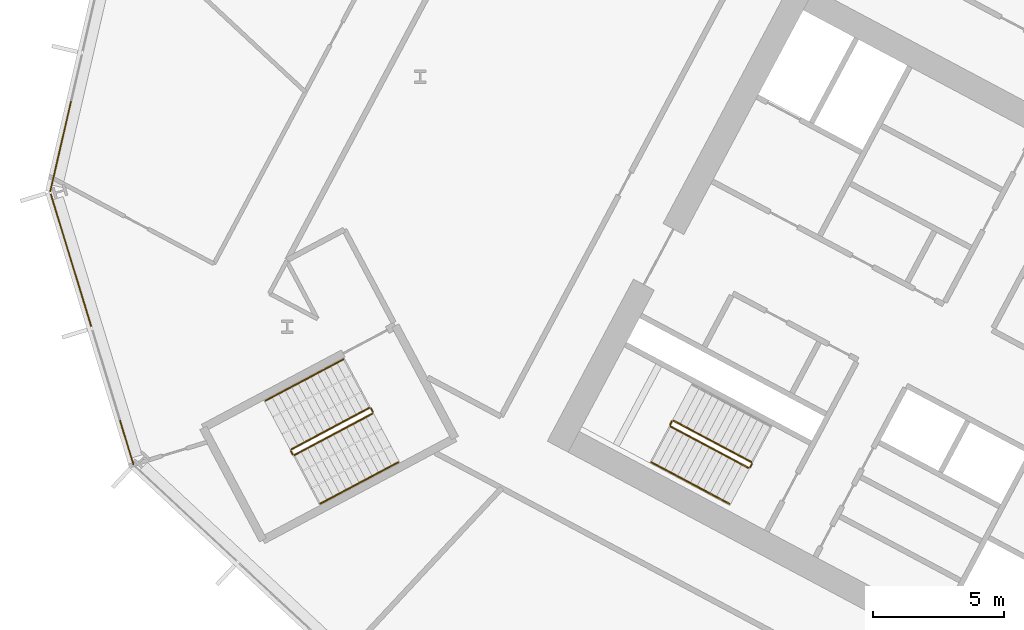
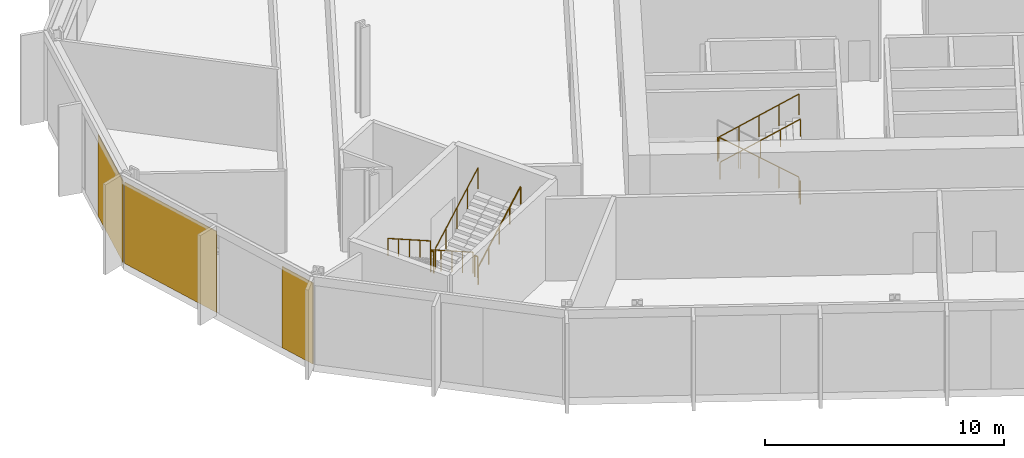
# One storey, part 24 of 32: 11 railings, 3 coverings, 2 elements without a shape of their own.
"""IFC4 building model written with IfcOpenShell, lengths in metres."""

from ifc_helpers import new_model, si_unit, direction, frame, origin, origin_2d, place, context, subcontext, project, spatial, polyline, rectangle, outline, extrude, material, layer, layer_set, type_object, element, aggregate, save


model = new_model("IFC4")

# Units and contexts
model_context = context("Model", 3, precision=1e-05, world=origin(), true_north=direction((0.0, 1.0)))
body_context = subcontext(model_context, "Body", "Model", "MODEL_VIEW")
ifc_project = project(units=[si_unit("LENGTHUNIT", "METRE"), si_unit("AREAUNIT", "SQUARE_METRE"), si_unit("VOLUMEUNIT", "CUBIC_METRE"), si_unit("PLANEANGLEUNIT", "RADIAN"), si_unit("MASSUNIT", "GRAM", prefix="KILO")], contexts=[model_context])

# Site, building, storey
site_placement = place(None, origin())
site = spatial("IfcSite", under=ifc_project, at=site_placement, CompositionType="ELEMENT")
building_placement = place(site_placement, origin())
building = spatial("IfcBuilding", under=site, at=building_placement, Name="Cormorant Relay Tower", CompositionType="ELEMENT")
storey_placement = place(building_placement, frame((0.0, 0.0, 75.39990234375)))
storey = spatial("IfcBuildingStorey", under=building, at=storey_placement, Name="L14", CompositionType="ELEMENT", Elevation=75.39990234375)

# Curtain wall, covering
ifc_material_1 = material(Name="Aluminium 6063-T6 anodised bronze", Category="aluminium")
ifc_layer_1 = layer(ifc_material_1, 0.199951171875)
ifc_layer_set_1 = layer_set([ifc_layer_1], Name="CW1 unitised bronze curtain wall with vertical fins")
curtain_wall_type = type_object("IfcCurtainWallType", Name="CW1 unitised bronze curtain wall with vertical fins", PredefinedType="NOTDEFINED", material=ifc_layer_set_1)
curtain_wall_1_placement = place(storey_placement, origin())
curtain_wall_1 = element("IfcCurtainWall", 1, at=curtain_wall_1_placement, inside=storey, type_object=curtain_wall_type, Name="CW1 curtain wall 11", PredefinedType="NOTDEFINED")
ifc_material_2 = material(Name="Pale bronze anodised aluminium insulated panel", Category="aluminium")
ifc_layer_2 = layer(ifc_material_2, 0.0400390625)
ifc_layer_set_2 = layer_set([ifc_layer_2], Name="CW1 pale bronze insulated panel 40")
covering_type = type_object("IfcCoveringType", Name="CW1 pale bronze insulated panel 40", PredefinedType="CLADDING", material=ifc_layer_set_2)
covering_1_placement = place(storey_placement, frame((-60.3388671875, 22.13232421875, 0.000244140625), z_axis=(0.0, 0.0, 1.0), x_axis=(-0.224951054344, -0.974370064785, 0.0)))
covering_1 = element("IfcCovering", 2, at=covering_1_placement, type_object=covering_type, Name="CW1 panel S02", PredefinedType="CLADDING", context=body_context, shape_type="SweptSolid", body=[
    extrude(rectangle(XDim=3.560302734375, YDim=0.0400390625, at=origin_2d()), origin(), (0.0, 0.0, 1.0), 4.14990234375),
])
aggregate(curtain_wall_1, [covering_1])

# Curtain wall, coverings
curtain_wall_2_placement = place(storey_placement, origin())
curtain_wall_2 = element("IfcCurtainWall", 3, at=curtain_wall_2_placement, inside=storey, type_object=curtain_wall_type, Name="CW1 curtain wall 12", PredefinedType="NOTDEFINED")
covering_2_placement = place(storey_placement, frame((-59.9443359375, 17.78857421875, 0.000244140625), z_axis=(0.0, 0.0, 1.0), x_axis=(0.292371704723, -0.956304755963, 0.0)))
covering_2 = element("IfcCovering", 4, at=covering_2_placement, type_object=covering_type, Name="CW1 panel S00", PredefinedType="CLADDING", context=body_context, shape_type="SweptSolid", body=[
    extrude(rectangle(XDim=5.28515625, YDim=0.0400390625, at=origin_2d()), origin(), (0.0, 0.0, 1.0), 4.14990234375),
])
covering_3_placement = place(storey_placement, frame((-57.818115234375, 10.833740234375, 0.000244140625), z_axis=(0.0, 0.0, 1.0), x_axis=(0.292371704723, -0.956304755963, 0.0)))
covering_3 = element("IfcCovering", 5, at=covering_3_placement, type_object=covering_type, Name="CW1 panel S02", PredefinedType="CLADDING", context=body_context, shape_type="SweptSolid", body=[
    extrude(rectangle(XDim=1.76025390625, YDim=0.0400390625, at=origin_2d()), origin(), (0.0, 0.0, 1.0), 4.14990234375),
])
aggregate(curtain_wall_2, [covering_2, covering_3])

# Railings
ifc_material_3 = material(Name="Steel ASTM A572 Grade 50 (Fy 345 MPa)", Category="steel")
railing_type_1 = type_object("IfcRailingType", Name="Stair guard 1100", PredefinedType="GUARDRAIL", material=ifc_material_3)
railing_1_placement = place(storey_placement, frame((-33.9921875, 10.08935546875, 0.177001953125)))
element("IfcRailing", 6, at=railing_1_placement, inside=storey, type_object=railing_type_1, Name="L14 A2 stair guard 1", PredefinedType="GUARDRAIL", context=body_context, shape_type="SweptSolid", body=[
    extrude(outline(polyline([(0.022216796875, 0.00927734375), (0.00927734375, 0.022216796875), (-0.00927734375, 0.022216796875), (-0.022216796875, 0.00927734375), (-0.022216796875, -0.00927734375), (-0.00927734375, -0.022216796875), (0.00927734375, -0.022216796875), (0.022216796875, -0.00927734375), (0.022216796875, 0.00927734375)])), frame((0.0, 0.0, 1.076171875), z_axis=(-0.746440668329, 0.396869088057, 0.534154711306), x_axis=(-0.46945269911, -0.882957622595, 0.0)), (0.0, 0.0, 1.0), 3.974609375),
    extrude(outline(polyline([(0.019287109375, 0.008056640625), (0.008056640625, 0.019287109375), (-0.008056640625, 0.019287109375), (-0.019287109375, 0.008056640625), (-0.019287109375, -0.008056640625), (-0.008056640625, -0.019287109375), (0.008056640625, -0.019287109375), (0.019287109375, -0.008056640625), (0.019287109375, 0.008056640625)])), origin(), (0.0, 0.0, 1.0), 1.052001953125),
    extrude(outline(polyline([(0.019287109375, 0.008056640625), (0.008056640625, 0.019287109375), (-0.008056640625, 0.019287109375), (-0.019287109375, 0.008056640625), (-0.019287109375, -0.008056640625), (-0.008056640625, -0.019287109375), (0.008056640625, -0.019287109375), (0.019287109375, -0.008056640625), (0.019287109375, 0.008056640625)])), frame((-0.74169921875, 0.394287109375, 0.53076171875)), (0.0, 0.0, 1.0), 1.052001953125),
    extrude(outline(polyline([(0.019287109375, 0.008056640625), (0.008056640625, 0.019287109375), (-0.008056640625, 0.019287109375), (-0.019287109375, 0.008056640625), (-0.019287109375, -0.008056640625), (-0.008056640625, -0.019287109375), (0.008056640625, -0.019287109375), (0.019287109375, -0.008056640625), (0.019287109375, 0.008056640625)])), frame((-1.4833984375, 0.78857421875, 1.0615234375)), (0.0, 0.0, 1.0), 1.052001953125),
    extrude(outline(polyline([(0.019287109375, 0.008056640625), (0.008056640625, 0.019287109375), (-0.008056640625, 0.019287109375), (-0.019287109375, 0.008056640625), (-0.019287109375, -0.008056640625), (-0.008056640625, -0.019287109375), (0.008056640625, -0.019287109375), (0.019287109375, -0.008056640625), (0.019287109375, 0.008056640625)])), frame((-2.22509765625, 1.18310546875, 1.59228515625)), (0.0, 0.0, 1.0), 1.052001953125),
    extrude(outline(polyline([(0.019287109375, 0.008056640625), (0.008056640625, 0.019287109375), (-0.008056640625, 0.019287109375), (-0.019287109375, 0.008056640625), (-0.019287109375, -0.008056640625), (-0.008056640625, -0.019287109375), (0.008056640625, -0.019287109375), (0.019287109375, -0.008056640625), (0.019287109375, 0.008056640625)])), frame((-2.966796875, 1.577392578125, 2.123046875)), (0.0, 0.0, 1.0), 1.052001953125),
])
railing_2_placement = place(storey_placement, frame((-37.026611328125, 11.64599609375, 2.300048828125)))
element("IfcRailing", 7, at=railing_2_placement, inside=storey, type_object=railing_type_1, Name="L14 A2 stair guard 2", PredefinedType="GUARDRAIL", context=body_context, shape_type="SweptSolid", body=[
    extrude(outline(polyline([(0.022216796875, 0.00927734375), (0.00927734375, 0.022216796875), (-0.00927734375, 0.022216796875), (-0.022216796875, 0.00927734375), (-0.022216796875, -0.00927734375), (-0.00927734375, -0.022216796875), (0.00927734375, -0.022216796875), (0.022216796875, -0.00927734375), (0.022216796875, 0.00927734375)])), frame((0.0, 0.0, 1.076171875), z_axis=(-0.469234640946, -0.883073525669, 0.0), x_axis=(0.883073525669, -0.469234640946, 0.0)), (0.0, 0.0, 1.0), 0.14990234375),
    extrude(outline(polyline([(0.019287109375, 0.008056640625), (0.008056640625, 0.019287109375), (-0.008056640625, 0.019287109375), (-0.019287109375, 0.008056640625), (-0.019287109375, -0.008056640625), (-0.008056640625, -0.019287109375), (0.008056640625, -0.019287109375), (0.019287109375, -0.008056640625), (0.019287109375, 0.008056640625)])), origin(), (0.0, 0.0, 1.0), 1.052001953125),
    extrude(outline(polyline([(0.019287109375, 0.008056640625), (0.008056640625, 0.019287109375), (-0.008056640625, 0.019287109375), (-0.019287109375, 0.008056640625), (-0.019287109375, -0.008056640625), (-0.008056640625, -0.019287109375), (0.008056640625, -0.019287109375), (0.019287109375, -0.008056640625), (0.019287109375, 0.008056640625)])), frame((-0.0703125, -0.13232421875, 0.0)), (0.0, 0.0, 1.0), 1.052001953125),
])
railing_3_placement = place(storey_placement, frame((-37.076171875, 11.446044921875, 2.47705078125)))
element("IfcRailing", 8, at=railing_3_placement, inside=storey, type_object=railing_type_1, Name="L14 A2 stair guard 3", PredefinedType="GUARDRAIL", context=body_context, shape_type="SweptSolid", body=[
    extrude(outline(polyline([(0.022216796875, 0.00927734375), (0.00927734375, 0.022216796875), (-0.00927734375, 0.022216796875), (-0.022216796875, 0.00927734375), (-0.022216796875, -0.00927734375), (-0.00927734375, -0.022216796875), (0.00927734375, -0.022216796875), (0.022216796875, -0.00927734375), (0.022216796875, 0.00927734375)])), frame((0.0, 0.0, 1.076171875), z_axis=(0.746413465702, -0.396887285154, 0.534179203172), x_axis=(0.469482818608, 0.88294160794, 0.0)), (0.0, 0.0, 1.0), 3.974365234375),
    extrude(outline(polyline([(0.019287109375, 0.008056640625), (0.008056640625, 0.019287109375), (-0.008056640625, 0.019287109375), (-0.019287109375, 0.008056640625), (-0.019287109375, -0.008056640625), (-0.008056640625, -0.019287109375), (0.008056640625, -0.019287109375), (0.019287109375, -0.008056640625), (0.019287109375, 0.008056640625)])), origin(), (0.0, 0.0, 1.0), 1.052001953125),
    extrude(outline(polyline([(0.019287109375, 0.008056640625), (0.008056640625, 0.019287109375), (-0.008056640625, 0.019287109375), (-0.019287109375, 0.008056640625), (-0.019287109375, -0.008056640625), (-0.008056640625, -0.019287109375), (0.008056640625, -0.019287109375), (0.019287109375, -0.008056640625), (0.019287109375, 0.008056640625)])), frame((0.74169921875, -0.394287109375, 0.53076171875)), (0.0, 0.0, 1.0), 1.052001953125),
    extrude(outline(polyline([(0.019287109375, 0.008056640625), (0.008056640625, 0.019287109375), (-0.008056640625, 0.019287109375), (-0.019287109375, 0.008056640625), (-0.019287109375, -0.008056640625), (-0.008056640625, -0.019287109375), (0.008056640625, -0.019287109375), (0.019287109375, -0.008056640625), (0.019287109375, 0.008056640625)])), frame((1.4833984375, -0.78857421875, 1.0615234375)), (0.0, 0.0, 1.0), 1.052001953125),
    extrude(outline(polyline([(0.019287109375, 0.008056640625), (0.008056640625, 0.019287109375), (-0.008056640625, 0.019287109375), (-0.019287109375, 0.008056640625), (-0.019287109375, -0.008056640625), (-0.008056640625, -0.019287109375), (0.008056640625, -0.019287109375), (0.019287109375, -0.008056640625), (0.019287109375, 0.008056640625)])), frame((2.224853515625, -1.18310546875, 1.59228515625)), (0.0, 0.0, 1.0), 1.052001953125),
    extrude(outline(polyline([(0.019287109375, 0.008056640625), (0.008056640625, 0.019287109375), (-0.008056640625, 0.019287109375), (-0.019287109375, 0.008056640625), (-0.019287109375, -0.008056640625), (-0.008056640625, -0.019287109375), (0.008056640625, -0.019287109375), (0.019287109375, -0.008056640625), (0.019287109375, 0.008056640625)])), frame((2.966552734375, -1.577392578125, 2.123046875)), (0.0, 0.0, 1.0), 1.052001953125),
])
railing_4_placement = place(storey_placement, frame((-33.971435546875, 10.021728515625, 0.0)))
element("IfcRailing", 9, at=railing_4_placement, inside=storey, type_object=railing_type_1, Name="L14 A2 stair guard 4", PredefinedType="GUARDRAIL", context=body_context, shape_type="SweptSolid", body=[
    extrude(outline(polyline([(0.022216796875, 0.00927734375), (0.00927734375, 0.022216796875), (-0.00927734375, 0.022216796875), (-0.022216796875, 0.00927734375), (-0.022216796875, -0.00927734375), (-0.00927734375, -0.022216796875), (0.00927734375, -0.022216796875), (0.022216796875, -0.00927734375), (0.022216796875, 0.00927734375)])), frame((0.0, 0.0, 1.076171875), z_axis=(-0.470503732759, -0.882398003998, 0.0), x_axis=(0.882398003998, -0.470503732759, 0.0)), (0.0, 0.0, 1.0), 0.14990234375),
    extrude(outline(polyline([(0.019287109375, 0.008056640625), (0.008056640625, 0.019287109375), (-0.008056640625, 0.019287109375), (-0.019287109375, 0.008056640625), (-0.019287109375, -0.008056640625), (-0.008056640625, -0.019287109375), (0.008056640625, -0.019287109375), (0.019287109375, -0.008056640625), (0.019287109375, 0.008056640625)])), origin(), (0.0, 0.0, 1.0), 1.052001953125),
    extrude(outline(polyline([(0.019287109375, 0.008056640625), (0.008056640625, 0.019287109375), (-0.008056640625, 0.019287109375), (-0.019287109375, 0.008056640625), (-0.019287109375, -0.008056640625), (-0.008056640625, -0.019287109375), (0.008056640625, -0.019287109375), (0.019287109375, -0.008056640625), (0.019287109375, 0.008056640625)])), frame((-0.070556640625, -0.13232421875, 0.0)), (0.0, 0.0, 1.0), 1.052001953125),
])
railing_5_placement = place(storey_placement, frame((-48.5693359375, 12.155517578125, 0.177001953125)))
element("IfcRailing", 10, at=railing_5_placement, inside=storey, type_object=railing_type_1, Name="L14 RP1 stair guard 1", PredefinedType="GUARDRAIL", context=body_context, shape_type="SweptSolid", body=[
    extrude(outline(polyline([(0.022216796875, 0.00927734375), (0.00927734375, 0.022216796875), (-0.00927734375, 0.022216796875), (-0.022216796875, 0.00927734375), (-0.022216796875, -0.00927734375), (-0.00927734375, -0.022216796875), (0.00927734375, -0.022216796875), (0.022216796875, -0.00927734375), (0.022216796875, 0.00927734375)])), frame((0.0, 0.0, 1.076171875), z_axis=(-0.746422470992, -0.396920836698, 0.534141689248), x_axis=(0.469509342547, -0.882927503967, 0.0)), (0.0, 0.0, 1.0), 3.974609375),
    extrude(outline(polyline([(0.019287109375, 0.008056640625), (0.008056640625, 0.019287109375), (-0.008056640625, 0.019287109375), (-0.019287109375, 0.008056640625), (-0.019287109375, -0.008056640625), (-0.008056640625, -0.019287109375), (0.008056640625, -0.019287109375), (0.019287109375, -0.008056640625), (0.019287109375, 0.008056640625)])), origin(), (0.0, 0.0, 1.0), 1.052001953125),
    extrude(outline(polyline([(0.019287109375, 0.008056640625), (0.008056640625, 0.019287109375), (-0.008056640625, 0.019287109375), (-0.019287109375, 0.008056640625), (-0.019287109375, -0.008056640625), (-0.008056640625, -0.019287109375), (0.008056640625, -0.019287109375), (0.019287109375, -0.008056640625), (0.019287109375, 0.008056640625)])), frame((-0.74169921875, -0.39453125, 0.53076171875)), (0.0, 0.0, 1.0), 1.052001953125),
    extrude(outline(polyline([(0.019287109375, 0.008056640625), (0.008056640625, 0.019287109375), (-0.008056640625, 0.019287109375), (-0.019287109375, 0.008056640625), (-0.019287109375, -0.008056640625), (-0.008056640625, -0.019287109375), (0.008056640625, -0.019287109375), (0.019287109375, -0.008056640625), (0.019287109375, 0.008056640625)])), frame((-1.4833984375, -0.788818359375, 1.0615234375)), (0.0, 0.0, 1.0), 1.052001953125),
    extrude(outline(polyline([(0.019287109375, 0.008056640625), (0.008056640625, 0.019287109375), (-0.008056640625, 0.019287109375), (-0.019287109375, 0.008056640625), (-0.019287109375, -0.008056640625), (-0.008056640625, -0.019287109375), (0.008056640625, -0.019287109375), (0.019287109375, -0.008056640625), (0.019287109375, 0.008056640625)])), frame((-2.22509765625, -1.18310546875, 1.59228515625)), (0.0, 0.0, 1.0), 1.052001953125),
    extrude(outline(polyline([(0.019287109375, 0.008056640625), (0.008056640625, 0.019287109375), (-0.008056640625, 0.019287109375), (-0.019287109375, 0.008056640625), (-0.019287109375, -0.008056640625), (-0.008056640625, -0.019287109375), (0.008056640625, -0.019287109375), (0.019287109375, -0.008056640625), (0.019287109375, 0.008056640625)])), frame((-2.966796875, -1.57763671875, 2.123046875)), (0.0, 0.0, 1.0), 1.052001953125),
])
railing_6_placement = place(storey_placement, frame((-51.556640625, 10.51025390625, 2.300048828125)))
element("IfcRailing", 11, at=railing_6_placement, inside=storey, type_object=railing_type_1, Name="L14 RP1 stair guard 2", PredefinedType="GUARDRAIL", context=body_context, shape_type="SweptSolid", body=[
    extrude(outline(polyline([(0.022216796875, 0.00927734375), (0.00927734375, 0.022216796875), (-0.00927734375, 0.022216796875), (-0.022216796875, 0.00927734375), (-0.022216796875, -0.00927734375), (-0.00927734375, -0.022216796875), (0.00927734375, -0.022216796875), (0.022216796875, -0.00927734375), (0.022216796875, 0.00927734375)])), frame((0.0, 0.0, 1.076171875), z_axis=(0.469234640946, -0.883073525669, 0.0), x_axis=(0.883073525669, 0.469234640946, 0.0)), (0.0, 0.0, 1.0), 0.14990234375),
    extrude(outline(polyline([(0.019287109375, 0.008056640625), (0.008056640625, 0.019287109375), (-0.008056640625, 0.019287109375), (-0.019287109375, 0.008056640625), (-0.019287109375, -0.008056640625), (-0.008056640625, -0.019287109375), (0.008056640625, -0.019287109375), (0.019287109375, -0.008056640625), (0.019287109375, 0.008056640625)])), origin(), (0.0, 0.0, 1.0), 1.052001953125),
    extrude(outline(polyline([(0.019287109375, 0.008056640625), (0.008056640625, 0.019287109375), (-0.008056640625, 0.019287109375), (-0.019287109375, 0.008056640625), (-0.019287109375, -0.008056640625), (-0.008056640625, -0.019287109375), (0.008056640625, -0.019287109375), (0.019287109375, -0.008056640625), (0.019287109375, 0.008056640625)])), frame((0.0703125, -0.13232421875, 0.0)), (0.0, 0.0, 1.0), 1.052001953125),
])
railing_7_placement = place(storey_placement, frame((-51.418701171875, 10.357177734375, 2.47705078125)))
element("IfcRailing", 12, at=railing_7_placement, inside=storey, type_object=railing_type_1, Name="L14 RP1 stair guard 3", PredefinedType="GUARDRAIL", context=body_context, shape_type="SweptSolid", body=[
    extrude(outline(polyline([(0.022216796875, 0.00927734375), (0.00927734375, 0.022216796875), (-0.00927734375, 0.022216796875), (-0.022216796875, 0.00927734375), (-0.022216796875, -0.00927734375), (-0.00927734375, -0.022216796875), (0.00927734375, -0.022216796875), (0.022216796875, -0.00927734375), (0.022216796875, 0.00927734375)])), frame((0.0, 0.0, 1.076171875), z_axis=(0.746440668329, 0.396869088057, 0.534154711306), x_axis=(-0.46945269911, 0.882957622595, 0.0)), (0.0, 0.0, 1.0), 3.974609375),
    extrude(outline(polyline([(0.019287109375, 0.008056640625), (0.008056640625, 0.019287109375), (-0.008056640625, 0.019287109375), (-0.019287109375, 0.008056640625), (-0.019287109375, -0.008056640625), (-0.008056640625, -0.019287109375), (0.008056640625, -0.019287109375), (0.019287109375, -0.008056640625), (0.019287109375, 0.008056640625)])), origin(), (0.0, 0.0, 1.0), 1.052001953125),
    extrude(outline(polyline([(0.019287109375, 0.008056640625), (0.008056640625, 0.019287109375), (-0.008056640625, 0.019287109375), (-0.019287109375, 0.008056640625), (-0.019287109375, -0.008056640625), (-0.008056640625, -0.019287109375), (0.008056640625, -0.019287109375), (0.019287109375, -0.008056640625), (0.019287109375, 0.008056640625)])), frame((0.74169921875, 0.394287109375, 0.53076171875)), (0.0, 0.0, 1.0), 1.052001953125),
    extrude(outline(polyline([(0.019287109375, 0.008056640625), (0.008056640625, 0.019287109375), (-0.008056640625, 0.019287109375), (-0.019287109375, 0.008056640625), (-0.019287109375, -0.008056640625), (-0.008056640625, -0.019287109375), (0.008056640625, -0.019287109375), (0.019287109375, -0.008056640625), (0.019287109375, 0.008056640625)])), frame((1.4833984375, 0.78857421875, 1.0615234375)), (0.0, 0.0, 1.0), 1.052001953125),
    extrude(outline(polyline([(0.019287109375, 0.008056640625), (0.008056640625, 0.019287109375), (-0.008056640625, 0.019287109375), (-0.019287109375, 0.008056640625), (-0.019287109375, -0.008056640625), (-0.008056640625, -0.019287109375), (0.008056640625, -0.019287109375), (0.019287109375, -0.008056640625), (0.019287109375, 0.008056640625)])), frame((2.22509765625, 1.18310546875, 1.59228515625)), (0.0, 0.0, 1.0), 1.052001953125),
    extrude(outline(polyline([(0.019287109375, 0.008056640625), (0.008056640625, 0.019287109375), (-0.008056640625, 0.019287109375), (-0.019287109375, 0.008056640625), (-0.019287109375, -0.008056640625), (-0.008056640625, -0.019287109375), (0.008056640625, -0.019287109375), (0.019287109375, -0.008056640625), (0.019287109375, 0.008056640625)])), frame((2.966796875, 1.577392578125, 2.123046875)), (0.0, 0.0, 1.0), 1.052001953125),
])
railing_8_placement = place(storey_placement, frame((-48.501708984375, 12.134765625, 0.0)))
element("IfcRailing", 13, at=railing_8_placement, inside=storey, type_object=railing_type_1, Name="L14 RP1 stair guard 4", PredefinedType="GUARDRAIL", context=body_context, shape_type="SweptSolid", body=[
    extrude(outline(polyline([(0.022216796875, 0.00927734375), (0.00927734375, 0.022216796875), (-0.00927734375, 0.022216796875), (-0.022216796875, 0.00927734375), (-0.022216796875, -0.00927734375), (-0.00927734375, -0.022216796875), (0.00927734375, -0.022216796875), (0.022216796875, -0.00927734375), (0.022216796875, 0.00927734375)])), frame((0.0, 0.0, 1.076171875), z_axis=(0.46856034887, -0.8834314911, 0.0), x_axis=(0.8834314911, 0.46856034887, 0.0)), (0.0, 0.0, 1.0), 0.150146484375),
    extrude(outline(polyline([(0.019287109375, 0.008056640625), (0.008056640625, 0.019287109375), (-0.008056640625, 0.019287109375), (-0.019287109375, 0.008056640625), (-0.019287109375, -0.008056640625), (-0.008056640625, -0.019287109375), (0.008056640625, -0.019287109375), (0.019287109375, -0.008056640625), (0.019287109375, 0.008056640625)])), origin(), (0.0, 0.0, 1.0), 1.052001953125),
    extrude(outline(polyline([(0.019287109375, 0.008056640625), (0.008056640625, 0.019287109375), (-0.008056640625, 0.019287109375), (-0.019287109375, 0.008056640625), (-0.019287109375, -0.008056640625), (-0.008056640625, -0.019287109375), (0.008056640625, -0.019287109375), (0.019287109375, -0.008056640625), (0.019287109375, 0.008056640625)])), frame((0.0703125, -0.132568359375, 0.0)), (0.0, 0.0, 1.0), 1.052001953125),
])
ifc_material_4 = material(Name="Steel ASTM A572 Grade 50 (Fy 345 MPa)", Category="steel")
railing_type_2 = type_object("IfcRailingType", Name="Stair handrail 900", PredefinedType="HANDRAIL", material=ifc_material_4)
railing_9_placement = place(storey_placement, frame((-37.803955078125, 10.077392578125, 2.47705078125)))
element("IfcRailing", 14, at=railing_9_placement, inside=storey, type_object=railing_type_2, Name="L14 A2 stair handrail 2", PredefinedType="HANDRAIL", context=body_context, shape_type="SweptSolid", body=[
    extrude(outline(polyline([(0.022216796875, 0.00927734375), (0.00927734375, 0.022216796875), (-0.00927734375, 0.022216796875), (-0.022216796875, 0.00927734375), (-0.022216796875, -0.00927734375), (-0.00927734375, -0.022216796875), (0.00927734375, -0.022216796875), (0.022216796875, -0.00927734375), (0.022216796875, 0.00927734375)])), frame((0.0, 0.0, 0.8759765625), z_axis=(0.746440668329, -0.396869088057, 0.534154711306), x_axis=(0.46945269911, 0.882957622595, 0.0)), (0.0, 0.0, 1.0), 3.974609375),
    extrude(outline(polyline([(0.019287109375, 0.008056640625), (0.008056640625, 0.019287109375), (-0.008056640625, 0.019287109375), (-0.019287109375, 0.008056640625), (-0.019287109375, -0.008056640625), (-0.008056640625, -0.019287109375), (0.008056640625, -0.019287109375), (0.019287109375, -0.008056640625), (0.019287109375, 0.008056640625)])), origin(), (0.0, 0.0, 1.0), 0.851806640625),
    extrude(outline(polyline([(0.019287109375, 0.008056640625), (0.008056640625, 0.019287109375), (-0.008056640625, 0.019287109375), (-0.019287109375, 0.008056640625), (-0.019287109375, -0.008056640625), (-0.008056640625, -0.019287109375), (0.008056640625, -0.019287109375), (0.019287109375, -0.008056640625), (0.019287109375, 0.008056640625)])), frame((0.74169921875, -0.394287109375, 0.53076171875)), (0.0, 0.0, 1.0), 0.851806640625),
    extrude(outline(polyline([(0.019287109375, 0.008056640625), (0.008056640625, 0.019287109375), (-0.008056640625, 0.019287109375), (-0.019287109375, 0.008056640625), (-0.019287109375, -0.008056640625), (-0.008056640625, -0.019287109375), (0.008056640625, -0.019287109375), (0.019287109375, -0.008056640625), (0.019287109375, 0.008056640625)])), frame((1.4833984375, -0.78857421875, 1.0615234375)), (0.0, 0.0, 1.0), 0.851806640625),
    extrude(outline(polyline([(0.019287109375, 0.008056640625), (0.008056640625, 0.019287109375), (-0.008056640625, 0.019287109375), (-0.019287109375, 0.008056640625), (-0.019287109375, -0.008056640625), (-0.008056640625, -0.019287109375), (0.008056640625, -0.019287109375), (0.019287109375, -0.008056640625), (0.019287109375, 0.008056640625)])), frame((2.22509765625, -1.18310546875, 1.59228515625)), (0.0, 0.0, 1.0), 0.851806640625),
    extrude(outline(polyline([(0.019287109375, 0.008056640625), (0.008056640625, 0.019287109375), (-0.008056640625, 0.019287109375), (-0.019287109375, 0.008056640625), (-0.019287109375, -0.008056640625), (-0.008056640625, -0.019287109375), (0.008056640625, -0.019287109375), (0.019287109375, -0.008056640625), (0.019287109375, 0.008056640625)])), frame((2.966796875, -1.577392578125, 2.123046875)), (0.0, 0.0, 1.0), 0.851806640625),
])
railing_10_placement = place(storey_placement, frame((-49.55517578125, 14.009521484375, 0.177001953125)))
element("IfcRailing", 15, at=railing_10_placement, inside=storey, type_object=railing_type_2, Name="L14 RP1 stair handrail 1", PredefinedType="HANDRAIL", context=body_context, shape_type="SweptSolid", body=[
    extrude(outline(polyline([(0.022216796875, 0.00927734375), (0.00927734375, 0.022216796875), (-0.00927734375, 0.022216796875), (-0.022216796875, 0.00927734375), (-0.022216796875, -0.00927734375), (-0.00927734375, -0.022216796875), (0.00927734375, -0.022216796875), (0.022216796875, -0.00927734375), (0.022216796875, 0.00927734375)])), frame((0.0, 0.0, 0.8759765625), z_axis=(-0.746440668329, -0.396869088057, 0.534154711306), x_axis=(0.46945269911, -0.882957622595, 0.0)), (0.0, 0.0, 1.0), 3.974609375),
    extrude(outline(polyline([(0.019287109375, 0.008056640625), (0.008056640625, 0.019287109375), (-0.008056640625, 0.019287109375), (-0.019287109375, 0.008056640625), (-0.019287109375, -0.008056640625), (-0.008056640625, -0.019287109375), (0.008056640625, -0.019287109375), (0.019287109375, -0.008056640625), (0.019287109375, 0.008056640625)])), origin(), (0.0, 0.0, 1.0), 0.851806640625),
    extrude(outline(polyline([(0.019287109375, 0.008056640625), (0.008056640625, 0.019287109375), (-0.008056640625, 0.019287109375), (-0.019287109375, 0.008056640625), (-0.019287109375, -0.008056640625), (-0.008056640625, -0.019287109375), (0.008056640625, -0.019287109375), (0.019287109375, -0.008056640625), (0.019287109375, 0.008056640625)])), frame((-0.74169921875, -0.394287109375, 0.53076171875)), (0.0, 0.0, 1.0), 0.851806640625),
    extrude(outline(polyline([(0.019287109375, 0.008056640625), (0.008056640625, 0.019287109375), (-0.008056640625, 0.019287109375), (-0.019287109375, 0.008056640625), (-0.019287109375, -0.008056640625), (-0.008056640625, -0.019287109375), (0.008056640625, -0.019287109375), (0.019287109375, -0.008056640625), (0.019287109375, 0.008056640625)])), frame((-1.4833984375, -0.78857421875, 1.0615234375)), (0.0, 0.0, 1.0), 0.851806640625),
    extrude(outline(polyline([(0.019287109375, 0.008056640625), (0.008056640625, 0.019287109375), (-0.008056640625, 0.019287109375), (-0.019287109375, 0.008056640625), (-0.019287109375, -0.008056640625), (-0.008056640625, -0.019287109375), (0.008056640625, -0.019287109375), (0.019287109375, -0.008056640625), (0.019287109375, 0.008056640625)])), frame((-2.22509765625, -1.18310546875, 1.59228515625)), (0.0, 0.0, 1.0), 0.851806640625),
    extrude(outline(polyline([(0.019287109375, 0.008056640625), (0.008056640625, 0.019287109375), (-0.008056640625, 0.019287109375), (-0.019287109375, 0.008056640625), (-0.019287109375, -0.008056640625), (-0.008056640625, -0.019287109375), (0.008056640625, -0.019287109375), (0.019287109375, -0.008056640625), (0.019287109375, 0.008056640625)])), frame((-2.966796875, -1.577392578125, 2.123046875)), (0.0, 0.0, 1.0), 0.851806640625),
])
railing_11_placement = place(storey_placement, frame((-50.432861328125, 8.503173828125, 2.47705078125)))
element("IfcRailing", 16, at=railing_11_placement, inside=storey, type_object=railing_type_2, Name="L14 RP1 stair handrail 2", PredefinedType="HANDRAIL", context=body_context, shape_type="SweptSolid", body=[
    extrude(outline(polyline([(0.022216796875, 0.00927734375), (0.00927734375, 0.022216796875), (-0.00927734375, 0.022216796875), (-0.022216796875, 0.00927734375), (-0.022216796875, -0.00927734375), (-0.00927734375, -0.022216796875), (0.00927734375, -0.022216796875), (0.022216796875, -0.00927734375), (0.022216796875, 0.00927734375)])), frame((0.0, 0.0, 0.8759765625), z_axis=(0.746440668329, 0.396869088057, 0.534154711306), x_axis=(-0.46945269911, 0.882957622595, 0.0)), (0.0, 0.0, 1.0), 3.974609375),
    extrude(outline(polyline([(0.019287109375, 0.008056640625), (0.008056640625, 0.019287109375), (-0.008056640625, 0.019287109375), (-0.019287109375, 0.008056640625), (-0.019287109375, -0.008056640625), (-0.008056640625, -0.019287109375), (0.008056640625, -0.019287109375), (0.019287109375, -0.008056640625), (0.019287109375, 0.008056640625)])), origin(), (0.0, 0.0, 1.0), 0.851806640625),
    extrude(outline(polyline([(0.019287109375, 0.008056640625), (0.008056640625, 0.019287109375), (-0.008056640625, 0.019287109375), (-0.019287109375, 0.008056640625), (-0.019287109375, -0.008056640625), (-0.008056640625, -0.019287109375), (0.008056640625, -0.019287109375), (0.019287109375, -0.008056640625), (0.019287109375, 0.008056640625)])), frame((0.74169921875, 0.394287109375, 0.53076171875)), (0.0, 0.0, 1.0), 0.851806640625),
    extrude(outline(polyline([(0.019287109375, 0.008056640625), (0.008056640625, 0.019287109375), (-0.008056640625, 0.019287109375), (-0.019287109375, 0.008056640625), (-0.019287109375, -0.008056640625), (-0.008056640625, -0.019287109375), (0.008056640625, -0.019287109375), (0.019287109375, -0.008056640625), (0.019287109375, 0.008056640625)])), frame((1.4833984375, 0.78857421875, 1.0615234375)), (0.0, 0.0, 1.0), 0.851806640625),
    extrude(outline(polyline([(0.019287109375, 0.008056640625), (0.008056640625, 0.019287109375), (-0.008056640625, 0.019287109375), (-0.019287109375, 0.008056640625), (-0.019287109375, -0.008056640625), (-0.008056640625, -0.019287109375), (0.008056640625, -0.019287109375), (0.019287109375, -0.008056640625), (0.019287109375, 0.008056640625)])), frame((2.22509765625, 1.18310546875, 1.59228515625)), (0.0, 0.0, 1.0), 0.851806640625),
    extrude(outline(polyline([(0.019287109375, 0.008056640625), (0.008056640625, 0.019287109375), (-0.008056640625, 0.019287109375), (-0.019287109375, 0.008056640625), (-0.019287109375, -0.008056640625), (-0.008056640625, -0.019287109375), (0.008056640625, -0.019287109375), (0.019287109375, -0.008056640625), (0.019287109375, 0.008056640625)])), frame((2.966796875, 1.577392578125, 2.123046875)), (0.0, 0.0, 1.0), 0.851806640625),
])

save(model, "model.ifc")
